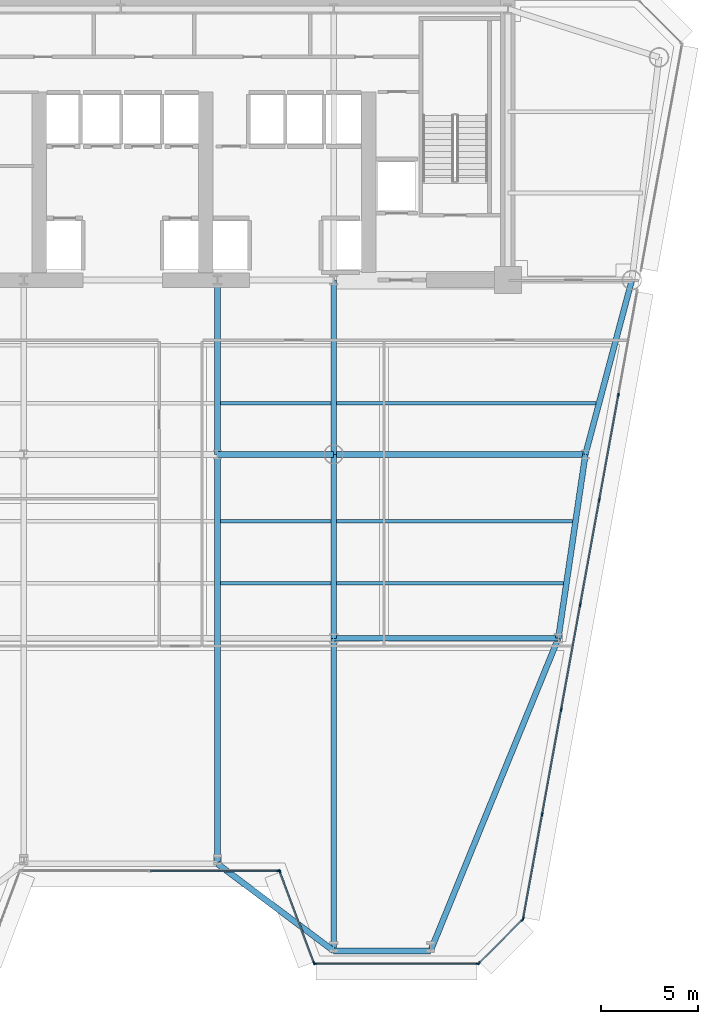
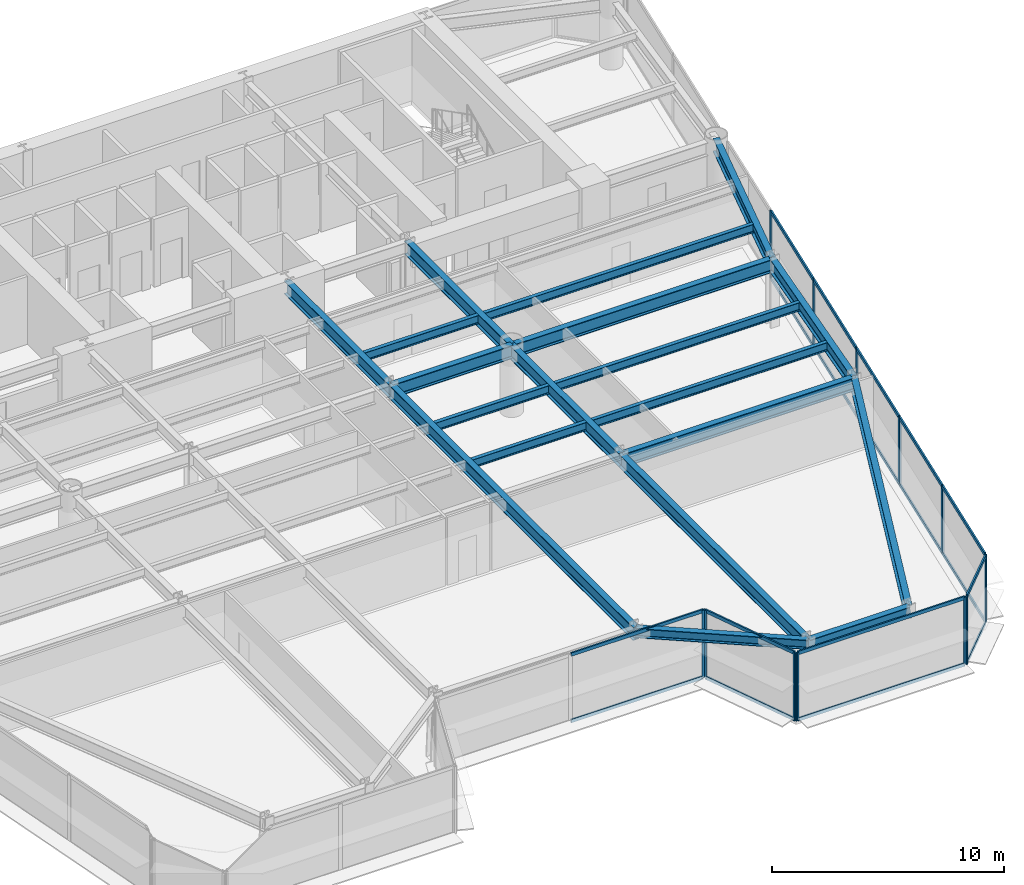
# One storey, part 4 of 14: 31 members, 19 beams, 5 elements without a shape of their own.
"""IFC4 building model written with IfcOpenShell, lengths in metres."""

from ifc_helpers import new_model, si_unit, direction, frame, origin, origin_2d, place, context, subcontext, project, spatial, rectangle, i_section, extrude, source, transform, mapped, material, layer, layer_set, material_profile, profile_set, type_object, element, aggregate, save


model = new_model("IFC4")

# Units and contexts
model_context = context("Model", 3, precision=1e-05, world=origin(), true_north=direction((0.0, 1.0)))
body_context = subcontext(model_context, "Body", "Model", "MODEL_VIEW")
ifc_project = project(units=[si_unit("LENGTHUNIT", "METRE"), si_unit("AREAUNIT", "SQUARE_METRE"), si_unit("VOLUMEUNIT", "CUBIC_METRE"), si_unit("PLANEANGLEUNIT", "RADIAN"), si_unit("MASSUNIT", "GRAM", prefix="KILO")], contexts=[model_context])

# Site, building, storey
site_placement = place(None, origin())
site = spatial("IfcSite", under=ifc_project, at=site_placement, CompositionType="ELEMENT")
building_placement = place(site_placement, origin())
building = spatial("IfcBuilding", under=site, at=building_placement, Name="Vaeldorn Concourse Tower", CompositionType="ELEMENT")
storey_placement = place(building_placement, frame((0.0, 0.0, 126.199951171875)))
storey = spatial("IfcBuildingStorey", under=building, at=storey_placement, Name="L32", CompositionType="ELEMENT", Elevation=126.199951171875)

# Beams
ifc_material_1 = material(Name="Steel S355", Category="steel")
ifc_material_profile_1 = material_profile(ifc_material_1, i_section(OverallWidth=0.300048828125, OverallDepth=0.699951171875, WebThickness=0.01708984375, FlangeThickness=0.031982421875, FilletRadius=0.027099609375, at=origin_2d()), Name="HEB 700")
ifc_profile_set_1 = profile_set([ifc_material_profile_1], Name="Steel S355")
beam_type_1 = type_object("IfcBeamType", Name="BM-PG-HEB700", PredefinedType="BEAM", material=ifc_profile_set_1)
shared_shape_1 = source(origin(), body_context, "Body", "SweptSolid", [
    extrude(i_section(OverallWidth=0.300048828125, OverallDepth=0.699951171875, WebThickness=0.01708984375, FlangeThickness=0.031982421875, FilletRadius=0.027099609375, at=origin_2d()), origin(), (0.0, 0.0, 1.0), 6.0),
])
beam_1_placement = place(storey_placement, frame((39.0, 27.5, 3.22998046875), z_axis=(1.0, 0.0, 0.0), x_axis=(0.0, 1.0, 0.0)))
element("IfcBeam", 1, at=beam_1_placement, inside=storey, type_object=beam_type_1, Name="Beam BM-L32-C-TW3-C-TW4", PredefinedType="BEAM", context=body_context, shape_type="MappedRepresentation", body=[
    mapped(shared_shape_1, transform((0.0, 0.0, 0.0), scale=1.0)),
])
shared_shape_2 = source(origin(), body_context, "Body", "SweptSolid", [
    extrude(i_section(OverallWidth=0.300048828125, OverallDepth=0.699951171875, WebThickness=0.01708984375, FlangeThickness=0.031982421875, FilletRadius=0.027099609375, at=origin_2d()), origin(), (0.0, 0.0, 1.0), 9.0),
])
for number, where, z_axis, x_axis, name in (
    (2, (39.0, 27.5, 3.22998046875), (0.0, 1.0, 0.0), (-1.0, 0.0, 0.0), "Beam BM-L32-C-TW3-C-FC4"),
    (3, (45.0, 27.5, 3.22998046875), (0.0, 1.0, 0.0), (-1.0, 0.0, 0.0), "Beam BM-L32-C-TW4-C-FC5"),
):
    element("IfcBeam", number, at=place(storey_placement, frame(where, z_axis=z_axis, x_axis=x_axis)), inside=storey, type_object=beam_type_1, Name=name, PredefinedType="BEAM", context=body_context, shape_type="MappedRepresentation", body=[
        mapped(shared_shape_2, transform((0.0, 0.0, 0.0), scale=1.0)),
    ])
shared_shape_3 = source(origin(), body_context, "Body", "SweptSolid", [
    extrude(i_section(OverallWidth=0.300048828125, OverallDepth=0.699951171875, WebThickness=0.01708984375, FlangeThickness=0.031982421875, FilletRadius=0.027099609375, at=origin_2d()), origin(), (0.0, 0.0, 1.0), 9.314453125),
])
beam_2_placement = place(storey_placement, frame((60.39990234375, 36.5, 3.22998046875), z_axis=(-0.257652862255, -0.966237549763, 0.0), x_axis=(0.966237549763, -0.257652862255, 0.0)))
element("IfcBeam", 4, at=beam_2_placement, inside=storey, type_object=beam_type_1, Name="Beam BM-L32-C-NE2-C-FLE1", PredefinedType="BEAM", context=body_context, shape_type="MappedRepresentation", body=[
    mapped(shared_shape_3, transform((0.0, 0.0, 0.0), scale=1.0)),
])
shared_shape_4 = source(origin(), body_context, "Body", "SweptSolid", [
    extrude(i_section(OverallWidth=0.300048828125, OverallDepth=0.699951171875, WebThickness=0.01708984375, FlangeThickness=0.031982421875, FilletRadius=0.027099609375, at=origin_2d()), origin(), (0.0, 0.0, 1.0), 13.0),
])
beam_3_placement = place(storey_placement, frame((45.0, 27.5, 3.22998046875), z_axis=(1.0, 0.0, 0.0), x_axis=(0.0, 1.0, 0.0)))
element("IfcBeam", 5, at=beam_3_placement, inside=storey, type_object=beam_type_1, Name="Beam BM-L32-C-TW4-C-FLE1", PredefinedType="BEAM", context=body_context, shape_type="MappedRepresentation", body=[
    mapped(shared_shape_4, transform((0.0, 0.0, 0.0), scale=1.0)),
])
ifc_material_profile_2 = material_profile(ifc_material_1, i_section(OverallWidth=0.300048828125, OverallDepth=0.5, WebThickness=0.014404296875, FlangeThickness=0.028076171875, FilletRadius=0.027099609375, at=origin_2d()), Name="HEB 500")
ifc_profile_set_2 = profile_set([ifc_material_profile_2], Name="Steel S355")
beam_type_2 = type_object("IfcBeamType", Name="BM-SP-HEB500", PredefinedType="SPANDREL", material=ifc_profile_set_2)
shared_shape_5 = source(origin(), body_context, "Body", "SweptSolid", [
    extrude(i_section(OverallWidth=0.300048828125, OverallDepth=0.5, WebThickness=0.014404296875, FlangeThickness=0.028076171875, FilletRadius=0.027099609375, at=origin_2d()), origin(), (0.0, 0.0, 1.0), 5.0),
])
beam_4_placement = place(storey_placement, frame((45.0, 1.856201171875, 3.330078125), z_axis=(1.0, 0.0, 0.0), x_axis=(0.0, 1.0, 0.0)))
element("IfcBeam", 6, at=beam_4_placement, inside=storey, type_object=beam_type_2, Name="Beam BM-L32-C-SF5-C-SF6", PredefinedType="SPANDREL", context=body_context, shape_type="MappedRepresentation", body=[
    mapped(shared_shape_5, transform((0.0, 0.0, 0.0), scale=1.0)),
])
shared_shape_6 = source(origin(), body_context, "Body", "SweptSolid", [
    extrude(i_section(OverallWidth=0.300048828125, OverallDepth=0.5, WebThickness=0.014404296875, FlangeThickness=0.028076171875, FilletRadius=0.027099609375, at=origin_2d()), origin(), (0.0, 0.0, 1.0), 7.5),
])
beam_5_placement = place(storey_placement, frame((39.0, 6.356201171875, 3.330078125), z_axis=(0.8, -0.6, 0.0), x_axis=(0.6, 0.8, 0.0)))
element("IfcBeam", 7, at=beam_5_placement, inside=storey, type_object=beam_type_2, Name="Beam BM-L32-C-SF4-C-SF5", PredefinedType="SPANDREL", context=body_context, shape_type="MappedRepresentation", body=[
    mapped(shared_shape_6, transform((0.0, 0.0, 0.0), scale=1.0)),
])
shared_shape_7 = source(origin(), body_context, "Body", "SweptSolid", [
    extrude(i_section(OverallWidth=0.300048828125, OverallDepth=0.699951171875, WebThickness=0.01708984375, FlangeThickness=0.031982421875, FilletRadius=0.027099609375, at=origin_2d()), origin(), (0.0, 0.0, 1.0), 9.6025390625),
])
beam_6_placement = place(storey_placement, frame((58.0, 27.5, 3.22998046875), z_axis=(-0.145783835977, -0.989316467652, 0.0), x_axis=(0.989316467652, -0.145783835977, 0.0)))
element("IfcBeam", 8, at=beam_6_placement, inside=storey, type_object=beam_type_1, Name="Beam BM-L32-C-FLE1-C-FLE2", PredefinedType="BEAM", context=body_context, shape_type="MappedRepresentation", body=[
    mapped(shared_shape_7, transform((0.0, 0.0, 0.0), scale=1.0)),
])
shared_shape_8 = source(origin(), body_context, "Body", "SweptSolid", [
    extrude(i_section(OverallWidth=0.300048828125, OverallDepth=0.699951171875, WebThickness=0.01708984375, FlangeThickness=0.031982421875, FilletRadius=0.027099609375, at=origin_2d()), origin(), (0.0, 0.0, 1.0), 11.60009765625),
])
beam_7_placement = place(storey_placement, frame((45.0, 18.0, 3.22998046875), z_axis=(1.0, 0.0, 0.0), x_axis=(0.0, 1.0, 0.0)))
element("IfcBeam", 9, at=beam_7_placement, inside=storey, type_object=beam_type_1, Name="Beam BM-L32-C-TW6-C-FLE2", PredefinedType="BEAM", context=body_context, shape_type="MappedRepresentation", body=[
    mapped(shared_shape_8, transform((0.0, 0.0, 0.0), scale=1.0)),
])
shared_shape_9 = source(origin(), body_context, "Body", "SweptSolid", [
    extrude(i_section(OverallWidth=0.300048828125, OverallDepth=0.699951171875, WebThickness=0.01708984375, FlangeThickness=0.031982421875, FilletRadius=0.027099609375, at=origin_2d()), origin(), (0.0, 0.0, 1.0), 9.5),
])
beam_8_placement = place(storey_placement, frame((45.0, 18.0, 3.22998046875), z_axis=(0.0, 1.0, 0.0), x_axis=(-1.0, 0.0, 0.0)))
element("IfcBeam", 10, at=beam_8_placement, inside=storey, type_object=beam_type_1, Name="Beam BM-L32-C-TW6-C-TW4", PredefinedType="BEAM", context=body_context, shape_type="MappedRepresentation", body=[
    mapped(shared_shape_9, transform((0.0, 0.0, 0.0), scale=1.0)),
])
shared_shape_10 = source(origin(), body_context, "Body", "SweptSolid", [
    extrude(i_section(OverallWidth=0.300048828125, OverallDepth=0.699951171875, WebThickness=0.01708984375, FlangeThickness=0.031982421875, FilletRadius=0.027099609375, at=origin_2d()), origin(), (0.0, 0.0, 1.0), 17.44091796875),
])
beam_9_placement = place(storey_placement, frame((50.0, 1.856201171875, 3.22998046875), z_axis=(0.378427347763, 0.925630996923, 0.0), x_axis=(-0.925630996923, 0.378427347763, 0.0)))
element("IfcBeam", 11, at=beam_9_placement, inside=storey, type_object=beam_type_1, Name="Beam BM-L32-C-SF6-C-FLE2", PredefinedType="BEAM", context=body_context, shape_type="MappedRepresentation", body=[
    mapped(shared_shape_10, transform((0.0, 0.0, 0.0), scale=1.0)),
])
shared_shape_11 = source(origin(), body_context, "Body", "SweptSolid", [
    extrude(i_section(OverallWidth=0.300048828125, OverallDepth=0.699951171875, WebThickness=0.01708984375, FlangeThickness=0.031982421875, FilletRadius=0.027099609375, at=origin_2d()), origin(), (0.0, 0.0, 1.0), 16.143798828125),
])
beam_10_placement = place(storey_placement, frame((45.0, 1.856201171875, 3.22998046875), z_axis=(0.0, 1.0, 0.0), x_axis=(-1.0, 0.0, 0.0)))
element("IfcBeam", 12, at=beam_10_placement, inside=storey, type_object=beam_type_1, Name="Beam BM-L32-C-SF5-C-TW6", PredefinedType="BEAM", context=body_context, shape_type="MappedRepresentation", body=[
    mapped(shared_shape_11, transform((0.0, 0.0, 0.0), scale=1.0)),
])
shared_shape_12 = source(origin(), body_context, "Body", "SweptSolid", [
    extrude(i_section(OverallWidth=0.300048828125, OverallDepth=0.699951171875, WebThickness=0.01708984375, FlangeThickness=0.031982421875, FilletRadius=0.027099609375, at=origin_2d()), origin(), (0.0, 0.0, 1.0), 21.143798828125),
])
beam_11_placement = place(storey_placement, frame((39.0, 6.356201171875, 3.22998046875), z_axis=(0.0, 1.0, 0.0), x_axis=(-1.0, 0.0, 0.0)))
element("IfcBeam", 13, at=beam_11_placement, inside=storey, type_object=beam_type_1, Name="Beam BM-L32-C-SF4-C-TW3", PredefinedType="BEAM", context=body_context, shape_type="MappedRepresentation", body=[
    mapped(shared_shape_12, transform((0.0, 0.0, 0.0), scale=1.0)),
])
ifc_material_profile_3 = material_profile(ifc_material_1, i_section(OverallWidth=0.18994140625, OverallDepth=0.449951171875, WebThickness=0.009521484375, FlangeThickness=0.0146484375, FilletRadius=0.02099609375, at=origin_2d()), Name="IPE 450")
ifc_profile_set_3 = profile_set([ifc_material_profile_3], Name="Steel S355")
beam_type_3 = type_object("IfcBeamType", Name="BM-JS-IPE450", PredefinedType="JOIST", material=ifc_profile_set_3)
shared_shape_13 = source(origin(), body_context, "Body", "SweptSolid", [
    extrude(i_section(OverallWidth=0.18994140625, OverallDepth=0.449951171875, WebThickness=0.009521484375, FlangeThickness=0.0146484375, FilletRadius=0.02099609375, at=origin_2d()), origin(), (0.0, 0.0, 1.0), 11.718505859375),
])
beam_12_placement = place(storey_placement, frame((45.14990234375, 20.840087890625, 3.35498046875), z_axis=(1.0, 0.0, 0.0), x_axis=(0.0, 1.0, 0.0)))
element("IfcBeam", 14, at=beam_12_placement, inside=storey, type_object=beam_type_3, Name="Beam JS-L32-E1-208", PredefinedType="JOIST", context=body_context, shape_type="MappedRepresentation", body=[
    mapped(shared_shape_13, transform((0.0, 0.0, 0.0), scale=1.0)),
])
shared_shape_14 = source(origin(), body_context, "Body", "SweptSolid", [
    extrude(i_section(OverallWidth=0.18994140625, OverallDepth=0.449951171875, WebThickness=0.009521484375, FlangeThickness=0.0146484375, FilletRadius=0.02099609375, at=origin_2d()), origin(), (0.0, 0.0, 1.0), 5.7001953125),
])
for number, where, z_axis, x_axis, name in (
    (15, (39.14990234375, 20.840087890625, 3.35498046875), (1.0, 0.0, 0.0), (0.0, 1.0, 0.0), "Beam JS-L32-E2-208"),
    (16, (39.14990234375, 24.0400390625, 3.35498046875), (1.0, 0.0, 0.0), (0.0, 1.0, 0.0), "Beam JS-L32-E2-240"),
    (17, (39.14990234375, 30.139892578125, 3.35498046875), (1.0, 0.0, 0.0), (0.0, 1.0, 0.0), "Beam JS-L32-E2-301"),
):
    element("IfcBeam", number, at=place(storey_placement, frame(where, z_axis=z_axis, x_axis=x_axis)), inside=storey, type_object=beam_type_3, Name=name, PredefinedType="JOIST", context=body_context, shape_type="MappedRepresentation", body=[
        mapped(shared_shape_14, transform((0.0, 0.0, 0.0), scale=1.0)),
    ])
shared_shape_15 = source(origin(), body_context, "Body", "SweptSolid", [
    extrude(i_section(OverallWidth=0.18994140625, OverallDepth=0.449951171875, WebThickness=0.009521484375, FlangeThickness=0.0146484375, FilletRadius=0.02099609375, at=origin_2d()), origin(), (0.0, 0.0, 1.0), 12.190185546875),
])
beam_13_placement = place(storey_placement, frame((45.14990234375, 24.0400390625, 3.35498046875), z_axis=(1.0, 0.0, 0.0), x_axis=(0.0, 1.0, 0.0)))
element("IfcBeam", 18, at=beam_13_placement, inside=storey, type_object=beam_type_3, Name="Beam JS-L32-E1-240", PredefinedType="JOIST", context=body_context, shape_type="MappedRepresentation", body=[
    mapped(shared_shape_15, transform((0.0, 0.0, 0.0), scale=1.0)),
])
shared_shape_16 = source(origin(), body_context, "Body", "SweptSolid", [
    extrude(i_section(OverallWidth=0.18994140625, OverallDepth=0.449951171875, WebThickness=0.009521484375, FlangeThickness=0.0146484375, FilletRadius=0.02099609375, at=origin_2d()), origin(), (0.0, 0.0, 1.0), 13.404052734375),
])
beam_14_placement = place(storey_placement, frame((45.14990234375, 30.139892578125, 3.35498046875), z_axis=(1.0, 0.0, 0.0), x_axis=(0.0, 1.0, 0.0)))
element("IfcBeam", 19, at=beam_14_placement, inside=storey, type_object=beam_type_3, Name="Beam JS-L32-E1-301", PredefinedType="JOIST", context=body_context, shape_type="MappedRepresentation", body=[
    mapped(shared_shape_16, transform((0.0, 0.0, 0.0), scale=1.0)),
])

# Curtain wall, members
ifc_material_2 = material(Name="Anodised Bronze Aluminium", Category="aluminium")
ifc_layer = layer(ifc_material_2, 0.199951171875)
ifc_layer_set = layer_set([ifc_layer], Name="Anodised Bronze Aluminium")
curtain_wall_type = type_object("IfcCurtainWallType", Name="CW-SYS-02", PredefinedType="NOTDEFINED", material=ifc_layer_set)
curtain_wall_1_placement = place(storey_placement, origin())
curtain_wall_1 = element("IfcCurtainWall", 20, at=curtain_wall_1_placement, inside=storey, type_object=curtain_wall_type, Name="Unitised Curtain Wall CW-L32-E03-1", PredefinedType="NOTDEFINED")
ifc_material_profile_4 = material_profile(ifc_material_2, rectangle(XDim=0.074951171875, YDim=0.179931640625, at=origin_2d()), Name="CWT 75x180")
ifc_profile_set_4 = profile_set([ifc_material_profile_4], Name="Anodised Bronze Aluminium")
member_type_1 = type_object("IfcMemberType", Name="CWT-BRONZE-180", PredefinedType="USERDEFINED", material=ifc_profile_set_4)
shared_shape_17 = source(origin(), body_context, "Body", "SweptSolid", [
    extrude(rectangle(XDim=0.074951171875, YDim=0.179931640625, at=origin_2d()), origin(), (0.0, 0.0, 1.0), 6.58740234375),
])
member_1_placement = place(storey_placement, frame((35.53759765625, 5.995361328125, 0.03759765625), z_axis=(1.0, 0.0, 0.0), x_axis=(0.0, 1.0, 0.0)))
member_1 = element("IfcMember", 21, at=member_1_placement, type_object=member_type_1, Name="CW-02 transom 2.1", ObjectType="TRANSOM", PredefinedType="USERDEFINED", context=body_context, shape_type="MappedRepresentation", body=[
    mapped(shared_shape_17, transform((0.0, 0.0, 0.0), scale=1.0)),
])
member_2_placement = place(storey_placement, frame((35.53759765625, 5.995361328125, 3.54248046875), z_axis=(1.0, 0.0, 0.0), x_axis=(0.0, 1.0, 0.0)))
member_2 = element("IfcMember", 22, at=member_2_placement, type_object=member_type_1, Name="CW-02 transom 2.2", ObjectType="TRANSOM", PredefinedType="USERDEFINED", context=body_context, shape_type="MappedRepresentation", body=[
    mapped(shared_shape_17, transform((0.0, 0.0, 0.0), scale=1.0)),
])

curtain_wall_2_placement = place(storey_placement, origin())
curtain_wall_2 = element("IfcCurtainWall", 23, at=curtain_wall_2_placement, inside=storey, type_object=curtain_wall_type, Name="Unitised Curtain Wall CW-L32-E06-1", PredefinedType="NOTDEFINED")
shared_shape_18 = source(origin(), body_context, "Body", "SweptSolid", [
    extrude(rectangle(XDim=0.074951171875, YDim=0.179931640625, at=origin_2d()), origin(), (0.0, 0.0, 1.0), 3.102783203125),
])
member_3_placement = place(storey_placement, frame((52.53515625, 1.24853515625, 0.03759765625), z_axis=(0.707146122816, 0.707067437368, 0.0), x_axis=(-0.707067437368, 0.707146122816, 0.0)))
member_3 = element("IfcMember", 24, at=member_3_placement, type_object=member_type_1, Name="CW-02 transom 1.1", ObjectType="TRANSOM", PredefinedType="USERDEFINED", context=body_context, shape_type="MappedRepresentation", body=[
    mapped(shared_shape_18, transform((0.0, 0.0, 0.0), scale=1.0)),
])
member_4_placement = place(storey_placement, frame((52.53515625, 1.24853515625, 3.54248046875), z_axis=(0.707146122816, 0.707067437368, 0.0), x_axis=(-0.707067437368, 0.707146122816, 0.0)))
member_4 = element("IfcMember", 25, at=member_4_placement, type_object=member_type_1, Name="CW-02 transom 1.2", ObjectType="TRANSOM", PredefinedType="USERDEFINED", context=body_context, shape_type="MappedRepresentation", body=[
    mapped(shared_shape_18, transform((0.0, 0.0, 0.0), scale=1.0)),
])

curtain_wall_3_placement = place(storey_placement, origin())
curtain_wall_3 = element("IfcCurtainWall", 26, at=curtain_wall_3_placement, inside=storey, type_object=curtain_wall_type, Name="Unitised Curtain Wall CW-L32-E04-1", PredefinedType="NOTDEFINED")
shared_shape_19 = source(origin(), body_context, "Body", "SweptSolid", [
    extrude(rectangle(XDim=0.074951171875, YDim=0.179931640625, at=origin_2d()), origin(), (0.0, 0.0, 1.0), 4.9765625),
])
member_5_placement = place(storey_placement, frame((42.226318359375, 5.92529296875, 0.03759765625), z_axis=(0.351112688987, -0.936333209724, 0.0), x_axis=(0.936333209724, 0.351112688987, 0.0)))
member_5 = element("IfcMember", 27, at=member_5_placement, type_object=member_type_1, Name="CW-02 transom 1.1", ObjectType="TRANSOM", PredefinedType="USERDEFINED", context=body_context, shape_type="MappedRepresentation", body=[
    mapped(shared_shape_19, transform((0.0, 0.0, 0.0), scale=1.0)),
])
member_6_placement = place(storey_placement, frame((42.226318359375, 5.92529296875, 3.54248046875), z_axis=(0.351112688987, -0.936333209724, 0.0), x_axis=(0.936333209724, 0.351112688987, 0.0)))
member_6 = element("IfcMember", 28, at=member_6_placement, type_object=member_type_1, Name="CW-02 transom 1.2", ObjectType="TRANSOM", PredefinedType="USERDEFINED", context=body_context, shape_type="MappedRepresentation", body=[
    mapped(shared_shape_19, transform((0.0, 0.0, 0.0), scale=1.0)),
])

curtain_wall_4_placement = place(storey_placement, origin())
curtain_wall_4 = element("IfcCurtainWall", 29, at=curtain_wall_4_placement, inside=storey, type_object=curtain_wall_type, Name="Unitised Curtain Wall CW-L32-E05-1", PredefinedType="NOTDEFINED")
shared_shape_20 = source(origin(), body_context, "Body", "SweptSolid", [
    extrude(rectangle(XDim=0.074951171875, YDim=0.179931640625, at=origin_2d()), origin(), (0.0, 0.0, 1.0), 8.332275390625),
])
member_7_placement = place(storey_placement, frame((44.074951171875, 1.1953125, 0.03759765625), z_axis=(1.0, 0.0, 0.0), x_axis=(0.0, 1.0, 0.0)))
member_7 = element("IfcMember", 30, at=member_7_placement, type_object=member_type_1, Name="CW-02 transom 1.1", ObjectType="TRANSOM", PredefinedType="USERDEFINED", context=body_context, shape_type="MappedRepresentation", body=[
    mapped(shared_shape_20, transform((0.0, 0.0, 0.0), scale=1.0)),
])
member_8_placement = place(storey_placement, frame((44.074951171875, 1.1953125, 3.54248046875), z_axis=(1.0, 0.0, 0.0), x_axis=(0.0, 1.0, 0.0)))
member_8 = element("IfcMember", 31, at=member_8_placement, type_object=member_type_1, Name="CW-02 transom 1.2", ObjectType="TRANSOM", PredefinedType="USERDEFINED", context=body_context, shape_type="MappedRepresentation", body=[
    mapped(shared_shape_20, transform((0.0, 0.0, 0.0), scale=1.0)),
])

# Member
ifc_material_profile_5 = material_profile(ifc_material_2, rectangle(XDim=0.074951171875, YDim=0.18994140625, at=origin_2d()), Name="CWM 75x190")
ifc_profile_set_5 = profile_set([ifc_material_profile_5], Name="Anodised Bronze Aluminium")
member_type_2 = type_object("IfcMemberType", Name="CWM-BRONZE-190", PredefinedType="MULLION", material=ifc_profile_set_5)
shared_shape_21 = source(origin(), body_context, "Body", "SweptSolid", [
    extrude(rectangle(XDim=0.074951171875, YDim=0.18994140625, at=origin_2d()), origin(), (0.0, 0.0, 1.0), 3.580078125),
])
member_9_placement = place(storey_placement, frame((42.16259765625, 5.995361328125, 0.0), z_axis=(0.0, 0.0, 1.0), x_axis=(0.0, 1.0, 0.0)))
member_9 = element("IfcMember", 32, at=member_9_placement, type_object=member_type_2, Name="CW-02 mullion 3", PredefinedType="MULLION", context=body_context, shape_type="MappedRepresentation", body=[
    mapped(shared_shape_21, transform((0.0, 0.0, 0.0), scale=1.0)),
])

aggregate(curtain_wall_1, [member_9, member_1, member_2])

member_10_placement = place(storey_placement, frame((42.213134765625, 5.960205078125, 0.0), z_axis=(0.0, 0.0, 1.0), x_axis=(0.936329177566, 0.351123441595, 0.0)))
member_10 = element("IfcMember", 33, at=member_10_placement, type_object=member_type_2, Name="CW-02 mullion 1", PredefinedType="MULLION", context=body_context, shape_type="MappedRepresentation", body=[
    mapped(shared_shape_21, transform((0.0, 0.0, 0.0), scale=1.0)),
])

member_11_placement = place(storey_placement, frame((43.98681640625, 1.23046875, 0.0), z_axis=(0.0, 0.0, 1.0), x_axis=(0.936329177566, 0.351123441595, 0.0)))
member_11 = element("IfcMember", 34, at=member_11_placement, type_object=member_type_2, Name="CW-02 mullion 2", PredefinedType="MULLION", context=body_context, shape_type="MappedRepresentation", body=[
    mapped(shared_shape_21, transform((0.0, 0.0, 0.0), scale=1.0)),
])

aggregate(curtain_wall_3, [member_10, member_11, member_5, member_6])

member_12_placement = place(storey_placement, frame((44.03759765625, 1.1953125, 0.0), z_axis=(0.0, 0.0, 1.0), x_axis=(0.0, 1.0, 0.0)))
member_12 = element("IfcMember", 35, at=member_12_placement, type_object=member_type_2, Name="CW-02 mullion 1", PredefinedType="MULLION", context=body_context, shape_type="MappedRepresentation", body=[
    mapped(shared_shape_21, transform((0.0, 0.0, 0.0), scale=1.0)),
])

member_13_placement = place(storey_placement, frame((52.444580078125, 1.1953125, 0.0), z_axis=(0.0, 0.0, 1.0), x_axis=(0.0, 1.0, 0.0)))
member_13 = element("IfcMember", 36, at=member_13_placement, type_object=member_type_2, Name="CW-02 mullion 2", PredefinedType="MULLION", context=body_context, shape_type="MappedRepresentation", body=[
    mapped(shared_shape_21, transform((0.0, 0.0, 0.0), scale=1.0)),
])

aggregate(curtain_wall_4, [member_12, member_13, member_7, member_8])

member_14_placement = place(storey_placement, frame((52.5087890625, 1.221923828125, 0.0), z_axis=(0.0, 0.0, 1.0), x_axis=(-0.707106781187, 0.707106781187, 0.0)))
member_14 = element("IfcMember", 37, at=member_14_placement, type_object=member_type_2, Name="CW-02 mullion 1", PredefinedType="MULLION", context=body_context, shape_type="MappedRepresentation", body=[
    mapped(shared_shape_21, transform((0.0, 0.0, 0.0), scale=1.0)),
])

member_15_placement = place(storey_placement, frame((54.755615234375, 3.468994140625, 0.0), z_axis=(0.0, 0.0, 1.0), x_axis=(-0.707106781187, 0.707106781187, 0.0)))
member_15 = element("IfcMember", 38, at=member_15_placement, type_object=member_type_2, Name="CW-02 mullion 2", PredefinedType="MULLION", context=body_context, shape_type="MappedRepresentation", body=[
    mapped(shared_shape_21, transform((0.0, 0.0, 0.0), scale=1.0)),
])

aggregate(curtain_wall_2, [member_14, member_15, member_3, member_4])

# Curtain wall, members
curtain_wall_5_placement = place(storey_placement, origin())
curtain_wall_5 = element("IfcCurtainWall", 39, at=curtain_wall_5_placement, inside=storey, type_object=curtain_wall_type, Name="Unitised Curtain Wall CW-L32-E07-1", PredefinedType="NOTDEFINED")
member_16_placement = place(storey_placement, frame((54.788818359375, 3.5322265625, 0.0), z_axis=(0.0, 0.0, 1.0), x_axis=(-0.983874464726, 0.178860385943, 0.0)))
member_16 = element("IfcMember", 40, at=member_16_placement, type_object=member_type_2, Name="CW-02 mullion 1", PredefinedType="MULLION", context=body_context, shape_type="MappedRepresentation", body=[
    mapped(shared_shape_21, transform((0.0, 0.0, 0.0), scale=1.0)),
])
member_17_placement = place(storey_placement, frame((55.7666015625, 8.909912109375, 0.0), z_axis=(0.0, 0.0, 1.0), x_axis=(-0.983874464726, 0.178860385943, 0.0)))
member_17 = element("IfcMember", 41, at=member_17_placement, type_object=member_type_2, Name="CW-02 mullion 2", PredefinedType="MULLION", context=body_context, shape_type="MappedRepresentation", body=[
    mapped(shared_shape_21, transform((0.0, 0.0, 0.0), scale=1.0)),
])
member_18_placement = place(storey_placement, frame((56.750732421875, 14.32421875, 0.0), z_axis=(0.0, 0.0, 1.0), x_axis=(-0.983874464726, 0.178860385943, 0.0)))
member_18 = element("IfcMember", 42, at=member_18_placement, type_object=member_type_2, Name="CW-02 mullion 3", PredefinedType="MULLION", context=body_context, shape_type="MappedRepresentation", body=[
    mapped(shared_shape_21, transform((0.0, 0.0, 0.0), scale=1.0)),
])
member_19_placement = place(storey_placement, frame((57.735107421875, 19.73876953125, 0.0), z_axis=(0.0, 0.0, 1.0), x_axis=(-0.983874464726, 0.178860385943, 0.0)))
member_19 = element("IfcMember", 43, at=member_19_placement, type_object=member_type_2, Name="CW-02 mullion 4", PredefinedType="MULLION", context=body_context, shape_type="MappedRepresentation", body=[
    mapped(shared_shape_21, transform((0.0, 0.0, 0.0), scale=1.0)),
])
member_20_placement = place(storey_placement, frame((58.719482421875, 25.153076171875, 0.0), z_axis=(0.0, 0.0, 1.0), x_axis=(-0.983874464726, 0.178860385943, 0.0)))
member_20 = element("IfcMember", 44, at=member_20_placement, type_object=member_type_2, Name="CW-02 mullion 5", PredefinedType="MULLION", context=body_context, shape_type="MappedRepresentation", body=[
    mapped(shared_shape_21, transform((0.0, 0.0, 0.0), scale=1.0)),
])
member_21_placement = place(storey_placement, frame((59.70361328125, 30.567626953125, 0.0), z_axis=(0.0, 0.0, 1.0), x_axis=(-0.983874464726, 0.178860385943, 0.0)))
member_21 = element("IfcMember", 45, at=member_21_placement, type_object=member_type_2, Name="CW-02 mullion 6", PredefinedType="MULLION", context=body_context, shape_type="MappedRepresentation", body=[
    mapped(shared_shape_21, transform((0.0, 0.0, 0.0), scale=1.0)),
])
shared_shape_22 = source(origin(), body_context, "Body", "SweptSolid", [
    extrude(rectangle(XDim=0.074951171875, YDim=0.179931640625, at=origin_2d()), origin(), (0.0, 0.0, 1.0), 5.390869140625),
])
member_22_placement = place(storey_placement, frame((54.795654296875, 3.569091796875, 0.03759765625), z_axis=(0.178841599413, 0.983877879779, 0.0), x_axis=(-0.983877879779, 0.178841599413, 0.0)))
member_22 = element("IfcMember", 46, at=member_22_placement, type_object=member_type_1, Name="CW-02 transom 1.1", ObjectType="TRANSOM", PredefinedType="USERDEFINED", context=body_context, shape_type="MappedRepresentation", body=[
    mapped(shared_shape_22, transform((0.0, 0.0, 0.0), scale=1.0)),
])
member_23_placement = place(storey_placement, frame((54.795654296875, 3.569091796875, 3.54248046875), z_axis=(0.178841599413, 0.983877879779, 0.0), x_axis=(-0.983877879779, 0.178841599413, 0.0)))
member_23 = element("IfcMember", 47, at=member_23_placement, type_object=member_type_1, Name="CW-02 transom 1.2", ObjectType="TRANSOM", PredefinedType="USERDEFINED", context=body_context, shape_type="MappedRepresentation", body=[
    mapped(shared_shape_22, transform((0.0, 0.0, 0.0), scale=1.0)),
])
shared_shape_23 = source(origin(), body_context, "Body", "SweptSolid", [
    extrude(rectangle(XDim=0.074951171875, YDim=0.179931640625, at=origin_2d()), origin(), (0.0, 0.0, 1.0), 5.42822265625),
])
member_24_placement = place(storey_placement, frame((55.773193359375, 8.94677734375, 0.03759765625), z_axis=(0.178873564257, 0.983872068925, 0.0), x_axis=(-0.983872068925, 0.178873564257, 0.0)))
member_24 = element("IfcMember", 48, at=member_24_placement, type_object=member_type_1, Name="CW-02 transom 2.1", ObjectType="TRANSOM", PredefinedType="USERDEFINED", context=body_context, shape_type="MappedRepresentation", body=[
    mapped(shared_shape_23, transform((0.0, 0.0, 0.0), scale=1.0)),
])
member_25_placement = place(storey_placement, frame((55.773193359375, 8.94677734375, 3.54248046875), z_axis=(0.178873564257, 0.983872068925, 0.0), x_axis=(-0.983872068925, 0.178873564257, 0.0)))
member_25 = element("IfcMember", 49, at=member_25_placement, type_object=member_type_1, Name="CW-02 transom 2.2", ObjectType="TRANSOM", PredefinedType="USERDEFINED", context=body_context, shape_type="MappedRepresentation", body=[
    mapped(shared_shape_23, transform((0.0, 0.0, 0.0), scale=1.0)),
])
member_26_placement = place(storey_placement, frame((56.757568359375, 14.361083984375, 0.03759765625), z_axis=(0.178822112494, 0.983881421759, 0.0), x_axis=(-0.983881421759, 0.178822112494, 0.0)))
member_26 = element("IfcMember", 50, at=member_26_placement, type_object=member_type_1, Name="CW-02 transom 3.1", ObjectType="TRANSOM", PredefinedType="USERDEFINED", context=body_context, shape_type="MappedRepresentation", body=[
    mapped(shared_shape_23, transform((0.0, 0.0, 0.0), scale=1.0)),
])
member_27_placement = place(storey_placement, frame((56.757568359375, 14.361083984375, 3.54248046875), z_axis=(0.178822112494, 0.983881421759, 0.0), x_axis=(-0.983881421759, 0.178822112494, 0.0)))
member_27 = element("IfcMember", 51, at=member_27_placement, type_object=member_type_1, Name="CW-02 transom 3.2", ObjectType="TRANSOM", PredefinedType="USERDEFINED", context=body_context, shape_type="MappedRepresentation", body=[
    mapped(shared_shape_23, transform((0.0, 0.0, 0.0), scale=1.0)),
])
member_28_placement = place(storey_placement, frame((57.74169921875, 19.775634765625, 0.03759765625), z_axis=(0.178873564257, 0.983872068925, 0.0), x_axis=(-0.983872068925, 0.178873564257, 0.0)))
member_28 = element("IfcMember", 52, at=member_28_placement, type_object=member_type_1, Name="CW-02 transom 4.1", ObjectType="TRANSOM", PredefinedType="USERDEFINED", context=body_context, shape_type="MappedRepresentation", body=[
    mapped(shared_shape_23, transform((0.0, 0.0, 0.0), scale=1.0)),
])
member_29_placement = place(storey_placement, frame((57.74169921875, 19.775634765625, 3.54248046875), z_axis=(0.178873564257, 0.983872068925, 0.0), x_axis=(-0.983872068925, 0.178873564257, 0.0)))
member_29 = element("IfcMember", 53, at=member_29_placement, type_object=member_type_1, Name="CW-02 transom 4.2", ObjectType="TRANSOM", PredefinedType="USERDEFINED", context=body_context, shape_type="MappedRepresentation", body=[
    mapped(shared_shape_23, transform((0.0, 0.0, 0.0), scale=1.0)),
])
shared_shape_24 = source(origin(), body_context, "Body", "SweptSolid", [
    extrude(rectangle(XDim=0.074951171875, YDim=0.179931640625, at=origin_2d()), origin(), (0.0, 0.0, 1.0), 5.428466796875),
])
member_30_placement = place(storey_placement, frame((58.72607421875, 25.18994140625, 0.03759765625), z_axis=(0.178865649156, 0.983873507902, 0.0), x_axis=(-0.983873507902, 0.178865649156, 0.0)))
member_30 = element("IfcMember", 54, at=member_30_placement, type_object=member_type_1, Name="CW-02 transom 5.1", ObjectType="TRANSOM", PredefinedType="USERDEFINED", context=body_context, shape_type="MappedRepresentation", body=[
    mapped(shared_shape_24, transform((0.0, 0.0, 0.0), scale=1.0)),
])
member_31_placement = place(storey_placement, frame((58.72607421875, 25.18994140625, 3.54248046875), z_axis=(0.178865649156, 0.983873507902, 0.0), x_axis=(-0.983873507902, 0.178865649156, 0.0)))
member_31 = element("IfcMember", 55, at=member_31_placement, type_object=member_type_1, Name="CW-02 transom 5.2", ObjectType="TRANSOM", PredefinedType="USERDEFINED", context=body_context, shape_type="MappedRepresentation", body=[
    mapped(shared_shape_24, transform((0.0, 0.0, 0.0), scale=1.0)),
])
aggregate(curtain_wall_5, [member_16, member_17, member_18, member_19, member_20, member_21, member_22, member_23, member_24, member_25, member_26, member_27, member_28, member_29, member_30, member_31])

save(model, "model.ifc")
